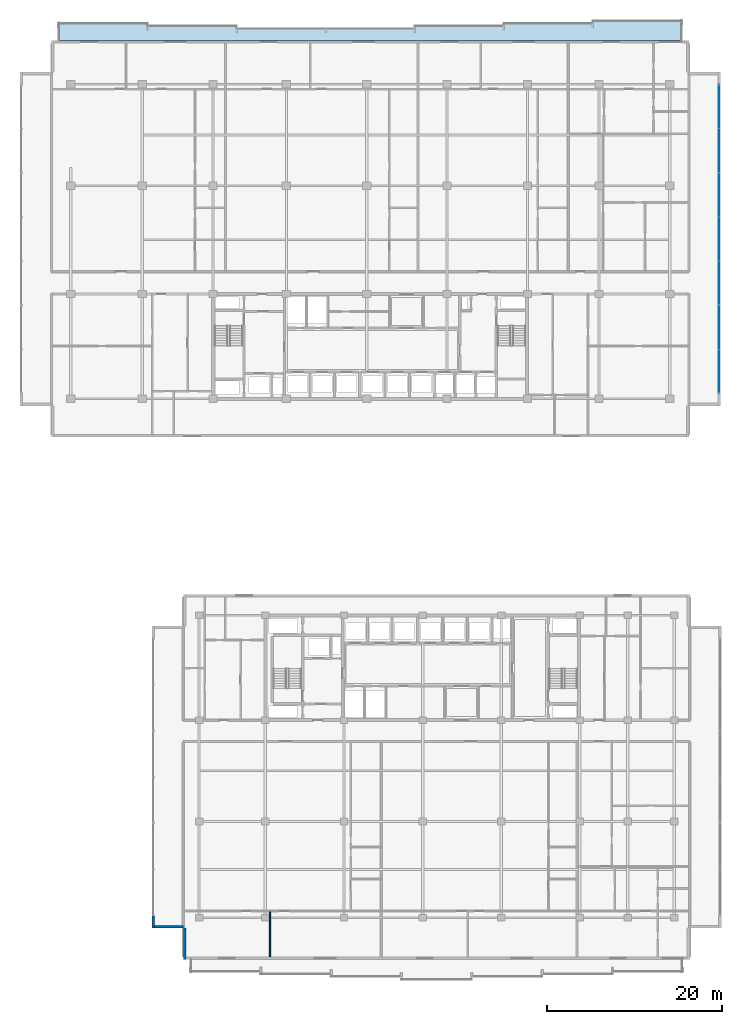
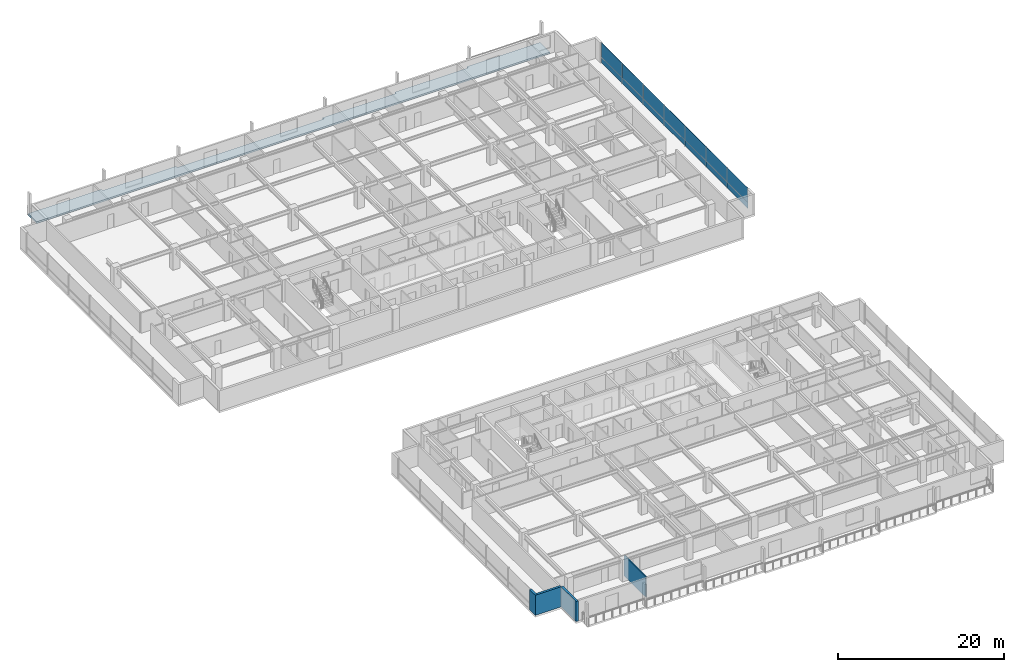
# One storey, part 20 of 38: 14 plates, 4 walls, 1 slab, 1 element without a shape of its own.
"""IFC4 building model written with IfcOpenShell, lengths in metres."""

from ifc_helpers import new_model, si_unit, direction, frame, frame_2d, origin, origin_2d, place, context, subcontext, project, spatial, polyline, rectangle, outline, extrude, material, layer, layer_set, type_object, element, aggregate, save


model = new_model("IFC4")

# Units and contexts
model_context = context("Model", 3, precision=1e-05, world=origin(), true_north=direction((0.0, 1.0)))
body_context = subcontext(model_context, "Body", "Model", "MODEL_VIEW")
ifc_project = project(units=[si_unit("LENGTHUNIT", "METRE"), si_unit("AREAUNIT", "SQUARE_METRE"), si_unit("VOLUMEUNIT", "CUBIC_METRE"), si_unit("PLANEANGLEUNIT", "RADIAN"), si_unit("MASSUNIT", "GRAM", prefix="KILO")], contexts=[model_context])

# Site, building, storey
site_placement = place(None, origin())
site = spatial("IfcSite", under=ifc_project, at=site_placement, CompositionType="ELEMENT")
building_placement = place(site_placement, origin())
building = spatial("IfcBuilding", under=site, at=building_placement, Name="Korimba Cascade Residences", CompositionType="ELEMENT")
storey_placement = place(building_placement, frame((0.0, 0.0, 93.800048828125)))
storey = spatial("IfcBuildingStorey", under=building, at=storey_placement, Name="L26", CompositionType="ELEMENT", Elevation=93.800048828125)

# Curtain wall, plates
ifc_material_1 = material(Name="Anodised Aluminium Curtain Wall Framing", Category="aluminium")
ifc_layer_1 = layer(ifc_material_1, 0.179931640625)
ifc_layer_set_1 = layer_set([ifc_layer_1], Name="Anodised Aluminium Curtain Wall Framing")
curtain_wall_type = type_object("IfcCurtainWallType", Name="CW-SKY-SYS2", PredefinedType="NOTDEFINED", material=ifc_layer_set_1)
curtain_wall_placement = place(storey_placement, origin())
curtain_wall = element("IfcCurtainWall", 1, at=curtain_wall_placement, inside=storey, type_object=curtain_wall_type, Name="L26 Curtain Wall CW-L26-T1-E3", PredefinedType="NOTDEFINED")
ifc_material_2 = material(Name="Insulated Stone-Tone Spandrel Panel", Category="masonry")
ifc_layer_2 = layer(ifc_material_2, 0.0400390625)
ifc_layer_set_2 = layer_set([ifc_layer_2], Name="Insulated Stone-Tone Spandrel Panel")
plate_type_1 = type_object("IfcPlateType", Name="CWP-SPN-40", PredefinedType="USERDEFINED", material=ifc_layer_set_2)
plate_1_placement = place(storey_placement, frame((134.050048828125, 58.3486328125, 0.0), z_axis=(0.0, 0.0, 1.0), x_axis=(0.0, 1.0, 0.0)))
plate_1 = element("IfcPlate", 2, at=plate_1_placement, type_object=plate_type_1, Name="CW-L26-T1-E3 Spandrel Panel 1", ObjectType="SPANDREL", PredefinedType="USERDEFINED", context=body_context, shape_type="SweptSolid", body=[
    extrude(rectangle(XDim=4.967041015625, YDim=0.0400390625, at=origin_2d()), origin(), (0.0, 0.0, 1.0), 0.83154296875),
])
plate_2_placement = place(storey_placement, frame((134.050048828125, 63.3857421875, 0.0), z_axis=(0.0, 0.0, 1.0), x_axis=(0.0, 1.0, 0.0)))
plate_2 = element("IfcPlate", 3, at=plate_2_placement, type_object=plate_type_1, Name="CW-L26-T1-E3 Spandrel Panel 2", ObjectType="SPANDREL", PredefinedType="USERDEFINED", context=body_context, shape_type="SweptSolid", body=[
    extrude(rectangle(XDim=5.007080078125, YDim=0.0400390625, at=origin_2d()), origin(), (0.0, 0.0, 1.0), 0.83154296875),
])
plate_3_placement = place(storey_placement, frame((134.050048828125, 68.44287109375, 0.0), z_axis=(0.0, 0.0, 1.0), x_axis=(0.0, 1.0, 0.0)))
plate_3 = element("IfcPlate", 4, at=plate_3_placement, type_object=plate_type_1, Name="CW-L26-T1-E3 Spandrel Panel 3", ObjectType="SPANDREL", PredefinedType="USERDEFINED", context=body_context, shape_type="SweptSolid", body=[
    extrude(rectangle(XDim=5.007080078125, YDim=0.0400390625, at=origin_2d()), origin(), (0.0, 0.0, 1.0), 0.83154296875),
])
plate_4_placement = place(storey_placement, frame((134.050048828125, 73.5, 0.0), z_axis=(0.0, 0.0, 1.0), x_axis=(0.0, 1.0, 0.0)))
plate_4 = element("IfcPlate", 5, at=plate_4_placement, type_object=plate_type_1, Name="CW-L26-T1-E3 Spandrel Panel 4", ObjectType="SPANDREL", PredefinedType="USERDEFINED", context=body_context, shape_type="SweptSolid", body=[
    extrude(rectangle(XDim=5.007080078125, YDim=0.0400390625, at=origin_2d()), origin(), (0.0, 0.0, 1.0), 0.83154296875),
])
plate_5_placement = place(storey_placement, frame((134.050048828125, 78.55712890625, 0.0), z_axis=(0.0, 0.0, 1.0), x_axis=(0.0, 1.0, 0.0)))
plate_5 = element("IfcPlate", 6, at=plate_5_placement, type_object=plate_type_1, Name="CW-L26-T1-E3 Spandrel Panel 5", ObjectType="SPANDREL", PredefinedType="USERDEFINED", context=body_context, shape_type="SweptSolid", body=[
    extrude(rectangle(XDim=5.007080078125, YDim=0.0400390625, at=origin_2d()), origin(), (0.0, 0.0, 1.0), 0.83154296875),
])
plate_6_placement = place(storey_placement, frame((134.050048828125, 83.6142578125, 0.0), z_axis=(0.0, 0.0, 1.0), x_axis=(0.0, 1.0, 0.0)))
plate_6 = element("IfcPlate", 7, at=plate_6_placement, type_object=plate_type_1, Name="CW-L26-T1-E3 Spandrel Panel 6", ObjectType="SPANDREL", PredefinedType="USERDEFINED", context=body_context, shape_type="SweptSolid", body=[
    extrude(rectangle(XDim=5.007080078125, YDim=0.0400390625, at=origin_2d()), origin(), (0.0, 0.0, 1.0), 0.83154296875),
])
plate_7_placement = place(storey_placement, frame((134.050048828125, 88.6513671875, 0.0), z_axis=(0.0, 0.0, 1.0), x_axis=(0.0, 1.0, 0.0)))
plate_7 = element("IfcPlate", 8, at=plate_7_placement, type_object=plate_type_1, Name="CW-L26-T1-E3 Spandrel Panel 7", ObjectType="SPANDREL", PredefinedType="USERDEFINED", context=body_context, shape_type="SweptSolid", body=[
    extrude(rectangle(XDim=4.967041015625, YDim=0.0400390625, at=origin_2d()), origin(), (0.0, 0.0, 1.0), 0.83154296875),
])
ifc_material_3 = material(Name="Low-E Double Glazing Unit", Category="glass")
ifc_layer_3 = layer(ifc_material_3, 0.028076171875)
ifc_layer_set_3 = layer_set([ifc_layer_3], Name="Low-E Double Glazing Unit")
plate_type_2 = type_object("IfcPlateType", Name="CWP-VIS-28", PredefinedType="CURTAIN_PANEL", material=ifc_layer_set_3)
plate_8_placement = place(storey_placement, frame((134.050048828125, 58.3486328125, 0.83154296875), z_axis=(0.0, 0.0, 1.0), x_axis=(0.0, 1.0, 0.0)))
plate_8 = element("IfcPlate", 9, at=plate_8_placement, type_object=plate_type_2, Name="CW-L26-T1-E3 Vision Glass Panel 1", PredefinedType="CURTAIN_PANEL", context=body_context, shape_type="SweptSolid", body=[
    extrude(rectangle(XDim=4.967041015625, YDim=0.028076171875, at=origin_2d()), origin(), (0.0, 0.0, 1.0), 2.138427734375),
])
plate_9_placement = place(storey_placement, frame((134.050048828125, 63.3857421875, 0.83154296875), z_axis=(0.0, 0.0, 1.0), x_axis=(0.0, 1.0, 0.0)))
plate_9 = element("IfcPlate", 10, at=plate_9_placement, type_object=plate_type_2, Name="CW-L26-T1-E3 Vision Glass Panel 2", PredefinedType="CURTAIN_PANEL", context=body_context, shape_type="SweptSolid", body=[
    extrude(rectangle(XDim=5.007080078125, YDim=0.028076171875, at=origin_2d()), origin(), (0.0, 0.0, 1.0), 2.138427734375),
])
plate_10_placement = place(storey_placement, frame((134.050048828125, 68.44287109375, 0.83154296875), z_axis=(0.0, 0.0, 1.0), x_axis=(0.0, 1.0, 0.0)))
plate_10 = element("IfcPlate", 11, at=plate_10_placement, type_object=plate_type_2, Name="CW-L26-T1-E3 Vision Glass Panel 3", PredefinedType="CURTAIN_PANEL", context=body_context, shape_type="SweptSolid", body=[
    extrude(rectangle(XDim=5.007080078125, YDim=0.028076171875, at=origin_2d()), origin(), (0.0, 0.0, 1.0), 2.138427734375),
])
plate_11_placement = place(storey_placement, frame((134.050048828125, 73.5, 0.83154296875), z_axis=(0.0, 0.0, 1.0), x_axis=(0.0, 1.0, 0.0)))
plate_11 = element("IfcPlate", 12, at=plate_11_placement, type_object=plate_type_2, Name="CW-L26-T1-E3 Vision Glass Panel 4", PredefinedType="CURTAIN_PANEL", context=body_context, shape_type="SweptSolid", body=[
    extrude(rectangle(XDim=5.007080078125, YDim=0.028076171875, at=origin_2d()), origin(), (0.0, 0.0, 1.0), 2.138427734375),
])
plate_12_placement = place(storey_placement, frame((134.050048828125, 78.55712890625, 0.83154296875), z_axis=(0.0, 0.0, 1.0), x_axis=(0.0, 1.0, 0.0)))
plate_12 = element("IfcPlate", 13, at=plate_12_placement, type_object=plate_type_2, Name="CW-L26-T1-E3 Vision Glass Panel 5", PredefinedType="CURTAIN_PANEL", context=body_context, shape_type="SweptSolid", body=[
    extrude(rectangle(XDim=5.007080078125, YDim=0.028076171875, at=origin_2d()), origin(), (0.0, 0.0, 1.0), 2.138427734375),
])
plate_13_placement = place(storey_placement, frame((134.050048828125, 83.6142578125, 0.83154296875), z_axis=(0.0, 0.0, 1.0), x_axis=(0.0, 1.0, 0.0)))
plate_13 = element("IfcPlate", 14, at=plate_13_placement, type_object=plate_type_2, Name="CW-L26-T1-E3 Vision Glass Panel 6", PredefinedType="CURTAIN_PANEL", context=body_context, shape_type="SweptSolid", body=[
    extrude(rectangle(XDim=5.007080078125, YDim=0.028076171875, at=origin_2d()), origin(), (0.0, 0.0, 1.0), 2.138427734375),
])
plate_14_placement = place(storey_placement, frame((134.050048828125, 88.6513671875, 0.83154296875), z_axis=(0.0, 0.0, 1.0), x_axis=(0.0, 1.0, 0.0)))
plate_14 = element("IfcPlate", 15, at=plate_14_placement, type_object=plate_type_2, Name="CW-L26-T1-E3 Vision Glass Panel 7", PredefinedType="CURTAIN_PANEL", context=body_context, shape_type="SweptSolid", body=[
    extrude(rectangle(XDim=4.967041015625, YDim=0.028076171875, at=origin_2d()), origin(), (0.0, 0.0, 1.0), 2.138427734375),
])
aggregate(curtain_wall, [plate_1, plate_8, plate_2, plate_9, plate_3, plate_10, plate_4, plate_11, plate_5, plate_12, plate_6, plate_13, plate_7, plate_14])

# Slab
ifc_material_4 = material(Name="Precast concrete C40/50", Category="concrete")
ifc_layer_4 = layer(ifc_material_4, 0.239990234375)
ifc_layer_set_4 = layer_set([ifc_layer_4], Name="Precast concrete C40/50")
slab_type = type_object("IfcSlabType", Name="SLB-LOG-240", PredefinedType="FLOOR", material=ifc_layer_set_4)
slab_placement = place(storey_placement, frame((0.0, 0.0, -0.239990234375)))
element("IfcSlab", 16, at=slab_placement, inside=storey, type_object=slab_type, Name="L26 Tower 1 North Loggia Slab", PredefinedType="FLOOR", context=body_context, shape_type="SweptSolid", body=[
    extrude(outline(polyline([(58.39990234375, 96.199951171875), (129.800048828125, 96.199951171875), (129.800048828125, 98.550048828125), (119.60009765625, 98.550048828125), (119.60009765625, 98.25), (109.39990234375, 98.25), (109.39990234375, 97.949951171875), (99.199951171875, 97.949951171875), (99.199951171875, 97.64990234375), (78.800048828125, 97.64990234375), (78.800048828125, 97.949951171875), (68.60009765625, 97.949951171875), (68.60009765625, 98.25), (58.39990234375, 98.25), (58.39990234375, 96.199951171875)])), origin(), (0.0, 0.0, 1.0), 0.239990234375),
])

# Walls
ifc_layer_5 = layer(ifc_material_4, 0.300048828125)
ifc_layer_set_5 = layer_set([ifc_layer_5], Name="Precast concrete C40/50")
wall_type_1 = type_object("IfcWallType", Name="EW-STONE-300", PredefinedType="STANDARD", material=ifc_layer_set_5)
wall_1_placement = place(storey_placement, frame((69.25, -4.0, 0.0), z_axis=(0.0, 0.0, 1.0), x_axis=(0.0, -1.0, 0.0)))
element("IfcWall", 17, at=wall_1_placement, inside=storey, type_object=wall_type_1, Name="L26 T2 Sky Pier 9B", PredefinedType="STANDARD", context=body_context, shape_type="SweptSolid", body=[
    extrude(rectangle(XDim=1.39990234375, YDim=0.300048828125, at=frame_2d((0.699951171875, 0.0))), origin(), (0.0, 0.0, 1.0), 2.969970703125),
])
wall_2_placement = place(storey_placement, frame((69.10009765625, -5.25, 0.0), z_axis=(0.0, 0.0, 1.0), x_axis=(1.0, 0.0, 0.0)))
element("IfcWall", 18, at=wall_2_placement, inside=storey, type_object=wall_type_1, Name="L26 T2 Perimeter Stone Wall E10", PredefinedType="STANDARD", context=body_context, shape_type="SweptSolid", body=[
    extrude(rectangle(XDim=3.599853515625, YDim=0.300048828125, at=frame_2d((1.7998046875, 0.0))), origin(), (0.0, 0.0, 1.0), 2.969970703125),
])
wall_3_placement = place(storey_placement, frame((72.85009765625, -5.39990234375, 0.0), z_axis=(0.0, 0.0, 1.0), x_axis=(0.0, -1.0, 0.0)))
element("IfcWall", 19, at=wall_3_placement, inside=storey, type_object=wall_type_1, Name="L26 T2 Perimeter Stone Wall E11", PredefinedType="STANDARD", context=body_context, shape_type="SweptSolid", body=[
    extrude(rectangle(XDim=3.60009765625, YDim=0.300048828125, at=frame_2d((1.800048828125, 0.0))), origin(), (0.0, 0.0, 1.0), 2.969970703125),
])
ifc_material_5 = material(Name="Insulated Acoustic Stud Partition", Category="gypsum")
ifc_layer_6 = layer(ifc_material_5, 0.14990234375)
ifc_layer_set_6 = layer_set([ifc_layer_6], Name="Insulated Acoustic Stud Partition")
wall_type_2 = type_object("IfcWallType", Name="WAL-PART-150", PredefinedType="PARTITIONING", material=ifc_layer_set_6)
wall_4_placement = place(storey_placement, frame((82.614501953125, -8.699951171875, 0.0), z_axis=(0.0, 0.0, 1.0), x_axis=(0.0, 1.0, 0.0)))
element("IfcWall", 20, at=wall_4_placement, inside=storey, type_object=wall_type_2, Name="L26 Partition Wall WAL-L26-T2-U01-OUTV", PredefinedType="PARTITIONING", context=body_context, shape_type="SweptSolid", body=[
    extrude(rectangle(XDim=5.169921875, YDim=0.14990234375, at=frame_2d((2.5849609375, 0.0))), origin(), (0.0, 0.0, 1.0), 2.969970703125),
])

save(model, "model.ifc")
